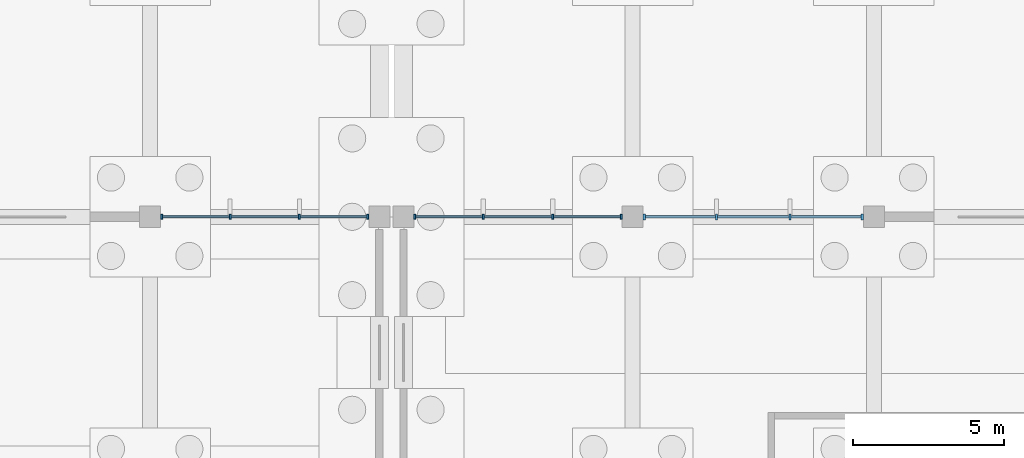
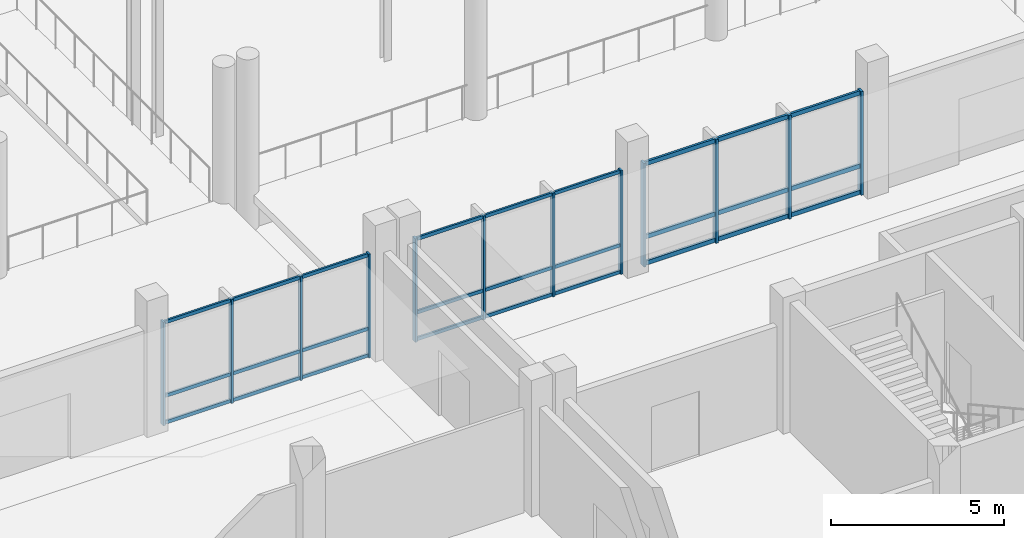
# One storey, part 32 of 72: 39 members, 3 elements without a shape of their own.
"""IFC4 building model written with IfcOpenShell, lengths in metres."""

import ifcopenshell
import ifcopenshell.guid

model = None  # the IFC model being written
_history = None  # IfcOwnerHistory: only IFC2X3 demands one
_inside = {}  # id of a spatial element -> (the spatial element, [elements in it])
_under = {}  # id of a project, library or spatial element -> (it, [spatial elements below it])
_declared = {}  # id of a project -> (the project, [libraries it declares])
_typed = {}  # id of a type object -> (the type object, [elements of that type])
_made_of = {}  # id of a material, layer set ... -> (it, [elements and type objects made of it])


def new_model(schema):
    """Start an empty IFC model of exactly this schema.

    Asked for "IFC4X3", IfcOpenShell would pick the latest addendum, in which some entities
    have other attributes; the version numbers below select the first issue.
    IFC2X3 requires an IfcOwnerHistory on every rooted entity: one is made here for all.
    """
    global model, _history
    if schema == "IFC4X3":
        model = ifcopenshell.file(schema_version=(4, 3, 0, 0))
    else:
        model = ifcopenshell.file(schema=schema)
    _inside.clear()
    _under.clear()
    _declared.clear()
    _typed.clear()
    _made_of.clear()
    _history = None
    if model.schema == "IFC2X3":
        org = make("IfcOrganization", Name="unknown")
        user = make(
            "IfcPersonAndOrganization",
            ThePerson=make("IfcPerson", FamilyName="unknown"),
            TheOrganization=org,
        )
        app = make(
            "IfcApplication",
            ApplicationDeveloper=org,
            Version="unknown",
            ApplicationFullName="unknown",
            ApplicationIdentifier="unknown",
        )
        _history = make(
            "IfcOwnerHistory",
            OwningUser=user,
            OwningApplication=app,
            ChangeAction="ADDED",
            CreationDate=0,
        )
    return model


def make(cls, **values):
    """One entity of the class cls with the attributes given. An attribute that is None is left unset."""
    return model.create_entity(
        cls, **{name: value for name, value in values.items() if value is not None}
    )


def rooted(cls, **values):
    """An entity with a GlobalId (a new one), such as an element, a storey or a relation."""
    return make(cls, GlobalId=ifcopenshell.guid.new(), OwnerHistory=_history, **values)


def si_unit(unit_type, name, prefix=None):
    """IfcSIUnit, for example si_unit("LENGTHUNIT", "METRE", prefix="MILLI")."""
    return make("IfcSIUnit", UnitType=unit_type, Prefix=prefix, Name=name)


def assignment(units):
    """IfcUnitAssignment: the units of a project."""
    return None if units is None else make("IfcUnitAssignment", Units=units)


def point(xyz):
    """IfcCartesianPoint."""
    return None if xyz is None else make("IfcCartesianPoint", Coordinates=xyz)


def direction(xyz):
    """IfcDirection."""
    return None if xyz is None else make("IfcDirection", DirectionRatios=xyz)


def frame(location, z_axis=None, x_axis=None):
    """IfcAxis2Placement3D, a coordinate frame: its origin and axes. An axis left out is left unset."""
    return make(
        "IfcAxis2Placement3D",
        Location=point(location),
        Axis=direction(z_axis),
        RefDirection=direction(x_axis),
    )


def frame_2d(location, x_axis=None):
    """IfcAxis2Placement2D, a coordinate frame in the plane: its origin and x axis."""
    return make(
        "IfcAxis2Placement2D", Location=point(location), RefDirection=direction(x_axis)
    )


def origin():
    """The frame at (0, 0, 0) with its axes left unset."""
    return frame((0.0, 0.0, 0.0))


def origin_2d():
    """The frame at (0, 0) in the plane with its x axis left unset."""
    return frame_2d((0.0, 0.0))


def place(relative_to, where):
    """IfcLocalPlacement: puts the frame where relative to a parent placement (None: the world)."""
    return make(
        "IfcLocalPlacement", PlacementRelTo=relative_to, RelativePlacement=where
    )


def context(
    kind, dimensions, precision=None, world=None, true_north=None, identifier=None
):
    """IfcGeometricRepresentationContext, for example the 3D "Model" context."""
    return make(
        "IfcGeometricRepresentationContext",
        ContextIdentifier=identifier,
        ContextType=kind,
        CoordinateSpaceDimension=dimensions,
        Precision=precision,
        WorldCoordinateSystem=world,
        TrueNorth=true_north,
    )


def subcontext(parent, identifier, kind, view, scale=None):
    """IfcGeometricRepresentationSubContext, for example "Body" below "Model"."""
    return make(
        "IfcGeometricRepresentationSubContext",
        ContextIdentifier=identifier,
        ContextType=kind,
        ParentContext=parent,
        TargetScale=scale,
        TargetView=view,
    )


def project(units=None, contexts=None):
    """IfcProject with its units and contexts."""
    return rooted(
        "IfcProject",
        Name="project",
        RepresentationContexts=contexts,
        UnitsInContext=assignment(units),
    )


def spatial(cls, under=None, at=None, **own):
    """A site, building, storey or space (cls), placed at a placement, below another one or the project."""
    s = rooted(cls, ObjectPlacement=at, **own)
    if under is not None:
        _under.setdefault(under.id(), (under, []))[1].append(s)
    return s


def profile(cls, at=None, kind="AREA", **sizes):
    """A parametric profile (cls). Its sizes go by their IFC names, for example OverallWidth=200.0."""
    return make(cls, ProfileType=kind, Position=at, **sizes)


def rectangle(**sizes):
    """IfcRectangleProfileDef."""
    return profile("IfcRectangleProfileDef", **sizes)


def extrude(swept, where, along, depth):
    """IfcExtrudedAreaSolid: the profile swept, set in the frame where, extruded along a direction by depth."""
    return make(
        "IfcExtrudedAreaSolid",
        SweptArea=swept,
        Position=where,
        ExtrudedDirection=direction(along),
        Depth=depth,
    )


def shape(context_of_items, identifier, shape_type, items):
    """IfcShapeRepresentation: the items that make up one representation, for example the "Body"."""
    return make(
        "IfcShapeRepresentation",
        ContextOfItems=context_of_items,
        RepresentationIdentifier=identifier,
        RepresentationType=shape_type,
        Items=items,
    )


def material(Name=None, Category=None):
    """IfcMaterial."""
    return make("IfcMaterial", Name=Name, Category=Category)


def material_profile(
    of_material, cross_section, Name=None, Category=None, Priority=None
):
    """IfcMaterialProfile: a cross section and its material."""
    return make(
        "IfcMaterialProfile",
        Name=Name,
        Material=of_material,
        Profile=cross_section,
        Priority=Priority,
        Category=Category,
    )


def profile_set(profiles, Name=None, composite=None):
    """IfcMaterialProfileSet."""
    return make(
        "IfcMaterialProfileSet",
        Name=Name,
        MaterialProfiles=profiles,
        CompositeProfile=composite,
    )


def made_of(thing, what):
    """Note that an element or type object is made of a material, layer set ...; save() writes the relation."""
    if what is not None:
        _made_of.setdefault(what.id(), (what, []))[1].append(thing)
    return thing


def type_object(cls, material=None, **own):
    """A type object (cls), such as IfcWallType, which elements share."""
    return made_of(rooted(cls, **own), material)


def element(
    cls,
    number,
    at=None,
    inside=None,
    cuts=None,
    type_object=None,
    material=None,
    context=None,
    identifier="Body",
    shape_type=None,
    held_by="IfcProductDefinitionShape",
    body=None,
    shapes=None,
    **own,
):
    """One element of the class cls, such as IfcWall. Its Tag is "e" and its number.

    at: its placement. inside: the storey or other place that contains it. cuts: it is an
    opening in that element (IfcRelVoidsElement). A single representation is given by context,
    identifier, shape_type and body (its items); several are given by shapes. held_by: the class
    of the entity that holds the representations. save() writes the other relations.
    """
    e = rooted(cls, Tag="e%d" % number, ObjectPlacement=at, **own)
    if body is not None:
        shapes = [shape(context, identifier, shape_type, body)]
    if shapes is not None:
        e.Representation = make(held_by, Representations=shapes)
    if inside is not None:
        _inside.setdefault(inside.id(), (inside, []))[1].append(e)
    if cuts is not None:
        rooted(
            "IfcRelVoidsElement", RelatingBuildingElement=cuts, RelatedOpeningElement=e
        )
    if type_object is not None:
        _typed.setdefault(type_object.id(), (type_object, []))[1].append(e)
    return made_of(e, material)


def aggregate(whole, parts):
    """IfcRelAggregates: a whole, such as a stair, and the parts it consists of."""
    return rooted("IfcRelAggregates", RelatingObject=whole, RelatedObjects=parts)


def save(model, path):
    """Write the relations noted so far, then the file.

    IfcRelAggregates (storeys below a building ...), IfcRelContainedInSpatialStructure (elements
    in a storey), IfcRelDefinesByType, IfcRelAssociatesMaterial and IfcRelDeclares: one each for
    every whole, place, type object, material and project.
    """
    for whole, parts in _under.values():
        aggregate(whole, parts)
    for where, things in _inside.values():
        rooted(
            "IfcRelContainedInSpatialStructure",
            RelatedElements=things,
            RelatingStructure=where,
        )
    for kind, things in _typed.values():
        rooted("IfcRelDefinesByType", RelatedObjects=things, RelatingType=kind)
    for what, things in _made_of.values():
        rooted("IfcRelAssociatesMaterial", RelatedObjects=things, RelatingMaterial=what)
    for by, libraries in _declared.values():
        rooted("IfcRelDeclares", RelatingContext=by, RelatedDefinitions=libraries)
    model.write(path)


model = new_model("IFC4")

# Units and contexts
model_context = context("Model", 3, precision=1e-05, world=origin(), true_north=direction((0.0, 1.0)))
body_context = subcontext(model_context, "Body", "Model", "MODEL_VIEW")
ifc_project = project(units=[si_unit("LENGTHUNIT", "METRE"), si_unit("AREAUNIT", "SQUARE_METRE"), si_unit("VOLUMEUNIT", "CUBIC_METRE"), si_unit("PLANEANGLEUNIT", "RADIAN"), si_unit("MASSUNIT", "GRAM", prefix="KILO"), si_unit("THERMODYNAMICTEMPERATUREUNIT", "KELVIN"), si_unit("POWERUNIT", "WATT")], contexts=[model_context])

# Site, building, storey
site_placement = place(None, origin())
site = spatial("IfcSite", under=ifc_project, at=site_placement, CompositionType="ELEMENT")
building_placement = place(site_placement, origin())
building = spatial("IfcBuilding", under=site, at=building_placement, Name="Kronsvod Quay Wholesale Market", CompositionType="ELEMENT")
storey_placement = place(building_placement, origin())
storey = spatial("IfcBuildingStorey", under=building, at=storey_placement, Name="L00", CompositionType="ELEMENT", Elevation=0.0)

# Curtain wall, members
ifc_material_1 = material(Name="Thermally broken aluminium and triple low-E glazing", Category="aluminium")
curtain_wall_type_1 = type_object("IfcCurtainWallType", Name="CW_Colonnade76x39", PredefinedType="NOTDEFINED", material=ifc_material_1)
curtain_wall_1_placement = place(storey_placement, origin())
curtain_wall_1 = element("IfcCurtainWall", 1, at=curtain_wall_1_placement, inside=storey, type_object=curtain_wall_type_1, Name="CWGX-L00-1200-1170", PredefinedType="NOTDEFINED")
ifc_material_2 = material(Name="Anodised aluminium", Category="aluminium")
ifc_material_profile_1 = material_profile(ifc_material_2, rectangle(XDim=0.06494140625, YDim=0.159912109375, at=origin_2d()), Name="ALUM65x160")
ifc_profile_set_1 = profile_set([ifc_material_profile_1], Name="Anodised aluminium")
member_type_1 = type_object("IfcMemberType", Name="Mullion_ALU65x160", PredefinedType="MULLION", material=ifc_profile_set_1)
member_1_placement = place(storey_placement, frame((127.222412109375, 117.0, 0.0), z_axis=(0.0, 0.0, 1.0), x_axis=(1.0, 0.0, 0.0)))
member_1 = element("IfcMember", 2, at=member_1_placement, type_object=member_type_1, Name="CWGX-L00-1200-1170-M1", PredefinedType="MULLION", context=body_context, shape_type="SweptSolid", body=[
    extrude(rectangle(XDim=0.06494140625, YDim=0.159912109375, at=origin_2d()), origin(), (0.0, 0.0, 1.0), 3.64990234375),
])
member_2_placement = place(storey_placement, frame((124.95166015625, 117.0, 0.0), z_axis=(0.0, 0.0, 1.0), x_axis=(1.0, 0.0, 0.0)))
member_2 = element("IfcMember", 3, at=member_2_placement, type_object=member_type_1, Name="CWGX-L00-1200-1170-M2", PredefinedType="MULLION", context=body_context, shape_type="SweptSolid", body=[
    extrude(rectangle(XDim=0.06494140625, YDim=0.159912109375, at=origin_2d()), origin(), (0.0, 0.0, 1.0), 3.64990234375),
])
member_3_placement = place(storey_placement, frame((122.6484375, 117.0, 0.0), z_axis=(0.0, 0.0, 1.0), x_axis=(1.0, 0.0, 0.0)))
member_3 = element("IfcMember", 4, at=member_3_placement, type_object=member_type_1, Name="CWGX-L00-1200-1170-M3", PredefinedType="MULLION", context=body_context, shape_type="SweptSolid", body=[
    extrude(rectangle(XDim=0.06494140625, YDim=0.159912109375, at=origin_2d()), origin(), (0.0, 0.0, 1.0), 3.64990234375),
])
member_4_placement = place(storey_placement, frame((120.37744140625, 117.0, 0.0), z_axis=(0.0, 0.0, 1.0), x_axis=(1.0, 0.0, 0.0)))
member_4 = element("IfcMember", 5, at=member_4_placement, type_object=member_type_1, Name="CWGX-L00-1200-1170-M4", PredefinedType="MULLION", context=body_context, shape_type="SweptSolid", body=[
    extrude(rectangle(XDim=0.06494140625, YDim=0.159912109375, at=origin_2d()), origin(), (0.0, 0.0, 1.0), 3.64990234375),
])

curtain_wall_2_placement = place(storey_placement, origin())
curtain_wall_2 = element("IfcCurtainWall", 6, at=curtain_wall_2_placement, inside=storey, type_object=curtain_wall_type_1, Name="CWGX-L00-1284-1170", PredefinedType="NOTDEFINED")
member_5_placement = place(storey_placement, frame((135.62255859375, 117.0, 0.0), z_axis=(0.0, 0.0, 1.0), x_axis=(1.0, 0.0, 0.0)))
member_5 = element("IfcMember", 7, at=member_5_placement, type_object=member_type_1, Name="CWGX-L00-1284-1170-M1", PredefinedType="MULLION", context=body_context, shape_type="SweptSolid", body=[
    extrude(rectangle(XDim=0.06494140625, YDim=0.159912109375, at=origin_2d()), origin(), (0.0, 0.0, 1.0), 3.64990234375),
])
member_6_placement = place(storey_placement, frame((133.3515625, 117.0, 0.0), z_axis=(0.0, 0.0, 1.0), x_axis=(1.0, 0.0, 0.0)))
member_6 = element("IfcMember", 8, at=member_6_placement, type_object=member_type_1, Name="CWGX-L00-1284-1170-M2", PredefinedType="MULLION", context=body_context, shape_type="SweptSolid", body=[
    extrude(rectangle(XDim=0.06494140625, YDim=0.159912109375, at=origin_2d()), origin(), (0.0, 0.0, 1.0), 3.64990234375),
])
member_7_placement = place(storey_placement, frame((131.04833984375, 117.0, 0.0), z_axis=(0.0, 0.0, 1.0), x_axis=(1.0, 0.0, 0.0)))
member_7 = element("IfcMember", 9, at=member_7_placement, type_object=member_type_1, Name="CWGX-L00-1284-1170-M3", PredefinedType="MULLION", context=body_context, shape_type="SweptSolid", body=[
    extrude(rectangle(XDim=0.06494140625, YDim=0.159912109375, at=origin_2d()), origin(), (0.0, 0.0, 1.0), 3.64990234375),
])
member_8_placement = place(storey_placement, frame((128.777587890625, 117.0, 0.0), z_axis=(0.0, 0.0, 1.0), x_axis=(1.0, 0.0, 0.0)))
member_8 = element("IfcMember", 10, at=member_8_placement, type_object=member_type_1, Name="CWGX-L00-1284-1170-M4", PredefinedType="MULLION", context=body_context, shape_type="SweptSolid", body=[
    extrude(rectangle(XDim=0.06494140625, YDim=0.159912109375, at=origin_2d()), origin(), (0.0, 0.0, 1.0), 3.64990234375),
])

ifc_material_3 = material(Name="Thermally broken aluminium and triple low-E glazing", Category="aluminium")
curtain_wall_type_2 = type_object("IfcCurtainWallType", Name="CW_Colonnade80x39", PredefinedType="NOTDEFINED", material=ifc_material_3)
curtain_wall_3_placement = place(storey_placement, origin())
curtain_wall_3 = element("IfcCurtainWall", 11, at=curtain_wall_3_placement, inside=storey, type_object=curtain_wall_type_2, Name="CWGX-L00-1360-1170", PredefinedType="NOTDEFINED")
ifc_material_4 = material(Name="Anodised aluminium", Category="aluminium")
ifc_material_profile_2 = material_profile(ifc_material_4, rectangle(XDim=0.074951171875, YDim=0.199951171875, at=origin_2d()), Name="ALUM75x200")
ifc_profile_set_2 = profile_set([ifc_material_profile_2], Name="Anodised aluminium")
member_type_2 = type_object("IfcMemberType", Name="Mullion_ALU75x200", PredefinedType="MULLION", material=ifc_profile_set_2)
member_9_placement = place(storey_placement, frame((143.617431640625, 117.0, 0.0), z_axis=(0.0, 0.0, 1.0), x_axis=(1.0, 0.0, 0.0)))
member_9 = element("IfcMember", 12, at=member_9_placement, type_object=member_type_2, Name="CWGX-L00-1360-1170-M1", PredefinedType="MULLION", context=body_context, shape_type="SweptSolid", body=[
    extrude(rectangle(XDim=0.074951171875, YDim=0.199951171875, at=origin_2d()), origin(), (0.0, 0.0, 1.0), 3.64990234375),
])
member_10_placement = place(storey_placement, frame((141.21826171875, 117.0, 0.0), z_axis=(0.0, 0.0, 1.0), x_axis=(1.0, 0.0, 0.0)))
member_10 = element("IfcMember", 13, at=member_10_placement, type_object=member_type_2, Name="CWGX-L00-1360-1170-M2", PredefinedType="MULLION", context=body_context, shape_type="SweptSolid", body=[
    extrude(rectangle(XDim=0.074951171875, YDim=0.199951171875, at=origin_2d()), origin(), (0.0, 0.0, 1.0), 3.64990234375),
])
member_11_placement = place(storey_placement, frame((138.78173828125, 117.0, 0.0), z_axis=(0.0, 0.0, 1.0), x_axis=(1.0, 0.0, 0.0)))
member_11 = element("IfcMember", 14, at=member_11_placement, type_object=member_type_2, Name="CWGX-L00-1360-1170-M3", PredefinedType="MULLION", context=body_context, shape_type="SweptSolid", body=[
    extrude(rectangle(XDim=0.074951171875, YDim=0.199951171875, at=origin_2d()), origin(), (0.0, 0.0, 1.0), 3.64990234375),
])
member_12_placement = place(storey_placement, frame((136.382568359375, 117.0, 0.0), z_axis=(0.0, 0.0, 1.0), x_axis=(1.0, 0.0, 0.0)))
member_12 = element("IfcMember", 15, at=member_12_placement, type_object=member_type_2, Name="CWGX-L00-1360-1170-M4", PredefinedType="MULLION", context=body_context, shape_type="SweptSolid", body=[
    extrude(rectangle(XDim=0.074951171875, YDim=0.199951171875, at=origin_2d()), origin(), (0.0, 0.0, 1.0), 3.64990234375),
])

# Member
ifc_material_5 = material(Name="Anodised aluminium", Category="aluminium")
ifc_material_profile_3 = material_profile(ifc_material_5, rectangle(XDim=0.06494140625, YDim=0.1201171875, at=origin_2d()), Name="ALUT65x120")
ifc_profile_set_3 = profile_set([ifc_material_profile_3], Name="Anodised aluminium")
member_type_3 = type_object("IfcMemberType", Name="Transom_ALU65x120", PredefinedType="USERDEFINED", material=ifc_profile_set_3)
member_13_placement = place(storey_placement, frame((127.18994140625, 117.0, 0.06005859375), z_axis=(-1.0, 0.0, 0.0), x_axis=(0.0, -1.0, 0.0)))
member_13 = element("IfcMember", 16, at=member_13_placement, type_object=member_type_3, Name="CWGX-L00-1200-1170-T1B1", ObjectType="TRANSOM", PredefinedType="USERDEFINED", context=body_context, shape_type="SweptSolid", body=[
    extrude(rectangle(XDim=0.06494140625, YDim=0.1201171875, at=origin_2d()), origin(), (0.0, 0.0, 1.0), 2.205810546875),
])

member_14_placement = place(storey_placement, frame((124.919189453125, 117.0, 0.06005859375), z_axis=(-1.0, 0.0, 0.0), x_axis=(0.0, -1.0, 0.0)))
member_14 = element("IfcMember", 17, at=member_14_placement, type_object=member_type_3, Name="CWGX-L00-1200-1170-T1B2", ObjectType="TRANSOM", PredefinedType="USERDEFINED", context=body_context, shape_type="SweptSolid", body=[
    extrude(rectangle(XDim=0.06494140625, YDim=0.1201171875, at=origin_2d()), origin(), (0.0, 0.0, 1.0), 2.23828125),
])

member_15_placement = place(storey_placement, frame((122.61572265625, 117.0, 0.06005859375), z_axis=(-1.0, 0.0, 0.0), x_axis=(0.0, -1.0, 0.0)))
member_15 = element("IfcMember", 18, at=member_15_placement, type_object=member_type_3, Name="CWGX-L00-1200-1170-T1B3", ObjectType="TRANSOM", PredefinedType="USERDEFINED", context=body_context, shape_type="SweptSolid", body=[
    extrude(rectangle(XDim=0.06494140625, YDim=0.1201171875, at=origin_2d()), origin(), (0.0, 0.0, 1.0), 2.205810546875),
])

member_16_placement = place(storey_placement, frame((127.18994140625, 117.0, 1.0), z_axis=(-1.0, 0.0, 0.0), x_axis=(0.0, -1.0, 0.0)))
member_16 = element("IfcMember", 19, at=member_16_placement, type_object=member_type_3, Name="CWGX-L00-1200-1170-T2B1", ObjectType="TRANSOM", PredefinedType="USERDEFINED", context=body_context, shape_type="SweptSolid", body=[
    extrude(rectangle(XDim=0.06494140625, YDim=0.1201171875, at=origin_2d()), origin(), (0.0, 0.0, 1.0), 2.205810546875),
])

member_17_placement = place(storey_placement, frame((124.919189453125, 117.0, 1.0), z_axis=(-1.0, 0.0, 0.0), x_axis=(0.0, -1.0, 0.0)))
member_17 = element("IfcMember", 20, at=member_17_placement, type_object=member_type_3, Name="CWGX-L00-1200-1170-T2B2", ObjectType="TRANSOM", PredefinedType="USERDEFINED", context=body_context, shape_type="SweptSolid", body=[
    extrude(rectangle(XDim=0.06494140625, YDim=0.1201171875, at=origin_2d()), origin(), (0.0, 0.0, 1.0), 2.23828125),
])

member_18_placement = place(storey_placement, frame((122.61572265625, 117.0, 1.0), z_axis=(-1.0, 0.0, 0.0), x_axis=(0.0, -1.0, 0.0)))
member_18 = element("IfcMember", 21, at=member_18_placement, type_object=member_type_3, Name="CWGX-L00-1200-1170-T2B3", ObjectType="TRANSOM", PredefinedType="USERDEFINED", context=body_context, shape_type="SweptSolid", body=[
    extrude(rectangle(XDim=0.06494140625, YDim=0.1201171875, at=origin_2d()), origin(), (0.0, 0.0, 1.0), 2.205810546875),
])

member_19_placement = place(storey_placement, frame((127.18994140625, 117.0, 3.590087890625), z_axis=(-1.0, 0.0, 0.0), x_axis=(0.0, -1.0, 0.0)))
member_19 = element("IfcMember", 22, at=member_19_placement, type_object=member_type_3, Name="CWGX-L00-1200-1170-T3B1", ObjectType="TRANSOM", PredefinedType="USERDEFINED", context=body_context, shape_type="SweptSolid", body=[
    extrude(rectangle(XDim=0.06494140625, YDim=0.1201171875, at=origin_2d()), origin(), (0.0, 0.0, 1.0), 2.205810546875),
])

member_20_placement = place(storey_placement, frame((124.919189453125, 117.0, 3.590087890625), z_axis=(-1.0, 0.0, 0.0), x_axis=(0.0, -1.0, 0.0)))
member_20 = element("IfcMember", 23, at=member_20_placement, type_object=member_type_3, Name="CWGX-L00-1200-1170-T3B2", ObjectType="TRANSOM", PredefinedType="USERDEFINED", context=body_context, shape_type="SweptSolid", body=[
    extrude(rectangle(XDim=0.06494140625, YDim=0.1201171875, at=origin_2d()), origin(), (0.0, 0.0, 1.0), 2.23828125),
])

member_21_placement = place(storey_placement, frame((122.61572265625, 117.0, 3.590087890625), z_axis=(-1.0, 0.0, 0.0), x_axis=(0.0, -1.0, 0.0)))
member_21 = element("IfcMember", 24, at=member_21_placement, type_object=member_type_3, Name="CWGX-L00-1200-1170-T3B3", ObjectType="TRANSOM", PredefinedType="USERDEFINED", context=body_context, shape_type="SweptSolid", body=[
    extrude(rectangle(XDim=0.06494140625, YDim=0.1201171875, at=origin_2d()), origin(), (0.0, 0.0, 1.0), 2.205810546875),
])

aggregate(curtain_wall_1, [member_1, member_2, member_3, member_4, member_13, member_14, member_15, member_16, member_17, member_18, member_19, member_20, member_21])

member_22_placement = place(storey_placement, frame((135.590087890625, 117.0, 0.06005859375), z_axis=(-1.0, 0.0, 0.0), x_axis=(0.0, -1.0, 0.0)))
member_22 = element("IfcMember", 25, at=member_22_placement, type_object=member_type_3, Name="CWGX-L00-1284-1170-T1B1", ObjectType="TRANSOM", PredefinedType="USERDEFINED", context=body_context, shape_type="SweptSolid", body=[
    extrude(rectangle(XDim=0.06494140625, YDim=0.1201171875, at=origin_2d()), origin(), (0.0, 0.0, 1.0), 2.205810546875),
])

member_23_placement = place(storey_placement, frame((133.319091796875, 117.0, 0.06005859375), z_axis=(-1.0, 0.0, 0.0), x_axis=(0.0, -1.0, 0.0)))
member_23 = element("IfcMember", 26, at=member_23_placement, type_object=member_type_3, Name="CWGX-L00-1284-1170-T1B2", ObjectType="TRANSOM", PredefinedType="USERDEFINED", context=body_context, shape_type="SweptSolid", body=[
    extrude(rectangle(XDim=0.06494140625, YDim=0.1201171875, at=origin_2d()), origin(), (0.0, 0.0, 1.0), 2.23828125),
])

member_24_placement = place(storey_placement, frame((131.015869140625, 117.0, 0.06005859375), z_axis=(-1.0, 0.0, 0.0), x_axis=(0.0, -1.0, 0.0)))
member_24 = element("IfcMember", 27, at=member_24_placement, type_object=member_type_3, Name="CWGX-L00-1284-1170-T1B3", ObjectType="TRANSOM", PredefinedType="USERDEFINED", context=body_context, shape_type="SweptSolid", body=[
    extrude(rectangle(XDim=0.06494140625, YDim=0.1201171875, at=origin_2d()), origin(), (0.0, 0.0, 1.0), 2.205810546875),
])

member_25_placement = place(storey_placement, frame((135.590087890625, 117.0, 1.0), z_axis=(-1.0, 0.0, 0.0), x_axis=(0.0, -1.0, 0.0)))
member_25 = element("IfcMember", 28, at=member_25_placement, type_object=member_type_3, Name="CWGX-L00-1284-1170-T2B1", ObjectType="TRANSOM", PredefinedType="USERDEFINED", context=body_context, shape_type="SweptSolid", body=[
    extrude(rectangle(XDim=0.06494140625, YDim=0.1201171875, at=origin_2d()), origin(), (0.0, 0.0, 1.0), 2.205810546875),
])

member_26_placement = place(storey_placement, frame((133.319091796875, 117.0, 1.0), z_axis=(-1.0, 0.0, 0.0), x_axis=(0.0, -1.0, 0.0)))
member_26 = element("IfcMember", 29, at=member_26_placement, type_object=member_type_3, Name="CWGX-L00-1284-1170-T2B2", ObjectType="TRANSOM", PredefinedType="USERDEFINED", context=body_context, shape_type="SweptSolid", body=[
    extrude(rectangle(XDim=0.06494140625, YDim=0.1201171875, at=origin_2d()), origin(), (0.0, 0.0, 1.0), 2.23828125),
])

member_27_placement = place(storey_placement, frame((131.015869140625, 117.0, 1.0), z_axis=(-1.0, 0.0, 0.0), x_axis=(0.0, -1.0, 0.0)))
member_27 = element("IfcMember", 30, at=member_27_placement, type_object=member_type_3, Name="CWGX-L00-1284-1170-T2B3", ObjectType="TRANSOM", PredefinedType="USERDEFINED", context=body_context, shape_type="SweptSolid", body=[
    extrude(rectangle(XDim=0.06494140625, YDim=0.1201171875, at=origin_2d()), origin(), (0.0, 0.0, 1.0), 2.205810546875),
])

member_28_placement = place(storey_placement, frame((135.590087890625, 117.0, 3.590087890625), z_axis=(-1.0, 0.0, 0.0), x_axis=(0.0, -1.0, 0.0)))
member_28 = element("IfcMember", 31, at=member_28_placement, type_object=member_type_3, Name="CWGX-L00-1284-1170-T3B1", ObjectType="TRANSOM", PredefinedType="USERDEFINED", context=body_context, shape_type="SweptSolid", body=[
    extrude(rectangle(XDim=0.06494140625, YDim=0.1201171875, at=origin_2d()), origin(), (0.0, 0.0, 1.0), 2.205810546875),
])

member_29_placement = place(storey_placement, frame((133.319091796875, 117.0, 3.590087890625), z_axis=(-1.0, 0.0, 0.0), x_axis=(0.0, -1.0, 0.0)))
member_29 = element("IfcMember", 32, at=member_29_placement, type_object=member_type_3, Name="CWGX-L00-1284-1170-T3B2", ObjectType="TRANSOM", PredefinedType="USERDEFINED", context=body_context, shape_type="SweptSolid", body=[
    extrude(rectangle(XDim=0.06494140625, YDim=0.1201171875, at=origin_2d()), origin(), (0.0, 0.0, 1.0), 2.23828125),
])

member_30_placement = place(storey_placement, frame((131.015869140625, 117.0, 3.590087890625), z_axis=(-1.0, 0.0, 0.0), x_axis=(0.0, -1.0, 0.0)))
member_30 = element("IfcMember", 33, at=member_30_placement, type_object=member_type_3, Name="CWGX-L00-1284-1170-T3B3", ObjectType="TRANSOM", PredefinedType="USERDEFINED", context=body_context, shape_type="SweptSolid", body=[
    extrude(rectangle(XDim=0.06494140625, YDim=0.1201171875, at=origin_2d()), origin(), (0.0, 0.0, 1.0), 2.205810546875),
])

aggregate(curtain_wall_2, [member_5, member_6, member_7, member_8, member_22, member_23, member_24, member_25, member_26, member_27, member_28, member_29, member_30])

ifc_material_6 = material(Name="Anodised aluminium", Category="aluminium")
ifc_material_profile_4 = material_profile(ifc_material_6, rectangle(XDim=0.074951171875, YDim=0.14990234375, at=origin_2d()), Name="ALUT75x150")
ifc_profile_set_4 = profile_set([ifc_material_profile_4], Name="Anodised aluminium")
member_type_4 = type_object("IfcMemberType", Name="Transom_ALU75x150", PredefinedType="USERDEFINED", material=ifc_profile_set_4)
member_31_placement = place(storey_placement, frame((143.580078125, 117.0, 0.074951171875), z_axis=(-1.0, 0.0, 0.0), x_axis=(0.0, -1.0, 0.0)))
member_31 = element("IfcMember", 34, at=member_31_placement, type_object=member_type_4, Name="CWGX-L00-1360-1170-T1B1", ObjectType="TRANSOM", PredefinedType="USERDEFINED", context=body_context, shape_type="SweptSolid", body=[
    extrude(rectangle(XDim=0.074951171875, YDim=0.14990234375, at=origin_2d()), origin(), (0.0, 0.0, 1.0), 2.32421875),
])

member_32_placement = place(storey_placement, frame((141.180908203125, 117.0, 0.074951171875), z_axis=(-1.0, 0.0, 0.0), x_axis=(0.0, -1.0, 0.0)))
member_32 = element("IfcMember", 35, at=member_32_placement, type_object=member_type_4, Name="CWGX-L00-1360-1170-T1B2", ObjectType="TRANSOM", PredefinedType="USERDEFINED", context=body_context, shape_type="SweptSolid", body=[
    extrude(rectangle(XDim=0.074951171875, YDim=0.14990234375, at=origin_2d()), origin(), (0.0, 0.0, 1.0), 2.36181640625),
])

member_33_placement = place(storey_placement, frame((138.744140625, 117.0, 0.074951171875), z_axis=(-1.0, 0.0, 0.0), x_axis=(0.0, -1.0, 0.0)))
member_33 = element("IfcMember", 36, at=member_33_placement, type_object=member_type_4, Name="CWGX-L00-1360-1170-T1B3", ObjectType="TRANSOM", PredefinedType="USERDEFINED", context=body_context, shape_type="SweptSolid", body=[
    extrude(rectangle(XDim=0.074951171875, YDim=0.14990234375, at=origin_2d()), origin(), (0.0, 0.0, 1.0), 2.32421875),
])

member_34_placement = place(storey_placement, frame((143.580078125, 117.0, 1.0), z_axis=(-1.0, 0.0, 0.0), x_axis=(0.0, -1.0, 0.0)))
member_34 = element("IfcMember", 37, at=member_34_placement, type_object=member_type_4, Name="CWGX-L00-1360-1170-T2B1", ObjectType="TRANSOM", PredefinedType="USERDEFINED", context=body_context, shape_type="SweptSolid", body=[
    extrude(rectangle(XDim=0.074951171875, YDim=0.14990234375, at=origin_2d()), origin(), (0.0, 0.0, 1.0), 2.32421875),
])

member_35_placement = place(storey_placement, frame((141.180908203125, 117.0, 1.0), z_axis=(-1.0, 0.0, 0.0), x_axis=(0.0, -1.0, 0.0)))
member_35 = element("IfcMember", 38, at=member_35_placement, type_object=member_type_4, Name="CWGX-L00-1360-1170-T2B2", ObjectType="TRANSOM", PredefinedType="USERDEFINED", context=body_context, shape_type="SweptSolid", body=[
    extrude(rectangle(XDim=0.074951171875, YDim=0.14990234375, at=origin_2d()), origin(), (0.0, 0.0, 1.0), 2.36181640625),
])

member_36_placement = place(storey_placement, frame((138.744140625, 117.0, 1.0), z_axis=(-1.0, 0.0, 0.0), x_axis=(0.0, -1.0, 0.0)))
member_36 = element("IfcMember", 39, at=member_36_placement, type_object=member_type_4, Name="CWGX-L00-1360-1170-T2B3", ObjectType="TRANSOM", PredefinedType="USERDEFINED", context=body_context, shape_type="SweptSolid", body=[
    extrude(rectangle(XDim=0.074951171875, YDim=0.14990234375, at=origin_2d()), origin(), (0.0, 0.0, 1.0), 2.32421875),
])

member_37_placement = place(storey_placement, frame((143.580078125, 117.0, 3.574951171875), z_axis=(-1.0, 0.0, 0.0), x_axis=(0.0, -1.0, 0.0)))
member_37 = element("IfcMember", 40, at=member_37_placement, type_object=member_type_4, Name="CWGX-L00-1360-1170-T3B1", ObjectType="TRANSOM", PredefinedType="USERDEFINED", context=body_context, shape_type="SweptSolid", body=[
    extrude(rectangle(XDim=0.074951171875, YDim=0.14990234375, at=origin_2d()), origin(), (0.0, 0.0, 1.0), 2.32421875),
])

member_38_placement = place(storey_placement, frame((141.180908203125, 117.0, 3.574951171875), z_axis=(-1.0, 0.0, 0.0), x_axis=(0.0, -1.0, 0.0)))
member_38 = element("IfcMember", 41, at=member_38_placement, type_object=member_type_4, Name="CWGX-L00-1360-1170-T3B2", ObjectType="TRANSOM", PredefinedType="USERDEFINED", context=body_context, shape_type="SweptSolid", body=[
    extrude(rectangle(XDim=0.074951171875, YDim=0.14990234375, at=origin_2d()), origin(), (0.0, 0.0, 1.0), 2.36181640625),
])

member_39_placement = place(storey_placement, frame((138.744140625, 117.0, 3.574951171875), z_axis=(-1.0, 0.0, 0.0), x_axis=(0.0, -1.0, 0.0)))
member_39 = element("IfcMember", 42, at=member_39_placement, type_object=member_type_4, Name="CWGX-L00-1360-1170-T3B3", ObjectType="TRANSOM", PredefinedType="USERDEFINED", context=body_context, shape_type="SweptSolid", body=[
    extrude(rectangle(XDim=0.074951171875, YDim=0.14990234375, at=origin_2d()), origin(), (0.0, 0.0, 1.0), 2.32421875),
])

aggregate(curtain_wall_3, [member_9, member_10, member_11, member_12, member_31, member_32, member_33, member_34, member_35, member_36, member_37, member_38, member_39])

save(model, "model.ifc")
